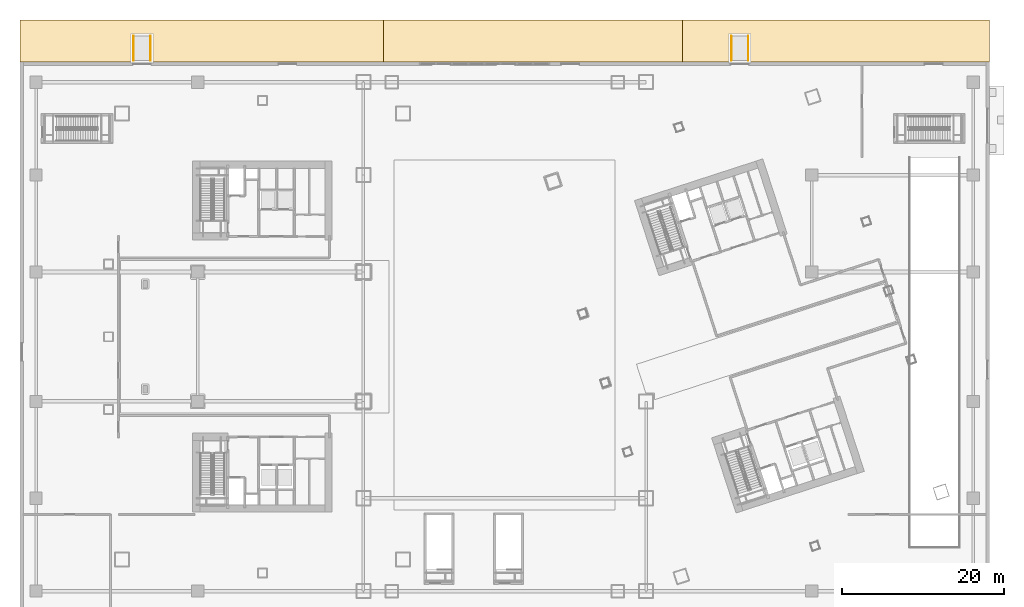
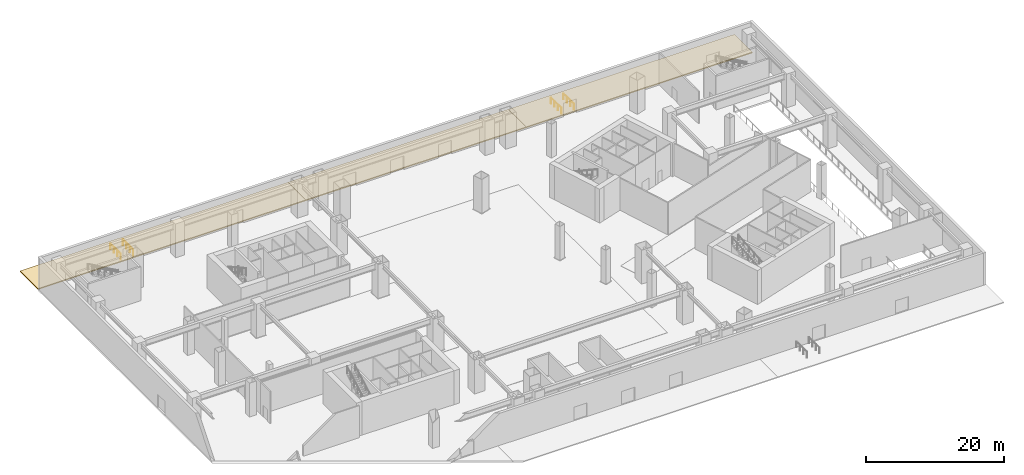
# One storey, part 30 of 31: 4 railings, 3 coverings.
"""IFC4 building model written with IfcOpenShell, lengths in metres."""

from ifc_helpers import new_model, si_unit, direction, frame, origin, origin_2d, place, context, subcontext, project, spatial, polyline, circle, outline, extrude, material, layer, layer_set, type_object, element, save


model = new_model("IFC4")

# Units and contexts
model_context = context("Model", 3, precision=1e-05, world=origin(), true_north=direction((0.0, 1.0)))
body_context = subcontext(model_context, "Body", "Model", "MODEL_VIEW")
ifc_project = project(units=[si_unit("LENGTHUNIT", "METRE"), si_unit("AREAUNIT", "SQUARE_METRE"), si_unit("VOLUMEUNIT", "CUBIC_METRE"), si_unit("PLANEANGLEUNIT", "RADIAN"), si_unit("MASSUNIT", "GRAM", prefix="KILO")], contexts=[model_context])

# Site, building, storey
site_placement = place(None, origin())
site = spatial("IfcSite", under=ifc_project, at=site_placement, CompositionType="ELEMENT")
building_placement = place(site_placement, origin())
building = spatial("IfcBuilding", under=site, at=building_placement, Name="Qiaolan Cultural Towers", CompositionType="ELEMENT")
storey_placement = place(building_placement, origin())
storey = spatial("IfcBuildingStorey", under=building, at=storey_placement, Name="L00", CompositionType="ELEMENT", Elevation=0.0)

# Coverings
ifc_material_1 = material(Name="Precast Concrete C40 Granite Forecourt Paving", Category="masonry")
ifc_layer = layer(ifc_material_1, 0.179931640625)
ifc_layer_set = layer_set([ifc_layer], Name="Precast Concrete C40 Granite Forecourt Paving")
covering_type = type_object("IfcCoveringType", Name="COV-PLAZA-PAVING", PredefinedType="USERDEFINED", material=ifc_layer_set)
covering_1_placement = place(storey_placement, frame((0.0, 0.0, -0.179931640625)))
element("IfcCovering", 1, at=covering_1_placement, inside=storey, type_object=covering_type, Name="Station Forecourt Granite Paving PLZ-N1", ObjectType="PAVING", PredefinedType="USERDEFINED", context=body_context, shape_type="SweptSolid", body=[
    extrude(outline(polyline([(0.0, 68.0), (45.0, 68.0), (45.0, 73.199951171875), (0.0, 73.199951171875), (0.0, 68.0)])), origin(), (0.0, 0.0, 1.0), 0.179931640625),
])
covering_2_placement = place(storey_placement, frame((0.0, 0.0, -0.179931640625)))
element("IfcCovering", 2, at=covering_2_placement, inside=storey, type_object=covering_type, Name="Station Forecourt Granite Paving PLZ-N2", ObjectType="PAVING", PredefinedType="USERDEFINED", context=body_context, shape_type="SweptSolid", body=[
    extrude(outline(polyline([(45.0, 68.0), (82.0, 68.0), (82.0, 73.199951171875), (45.0, 73.199951171875), (45.0, 68.0)])), origin(), (0.0, 0.0, 1.0), 0.179931640625),
])
covering_3_placement = place(storey_placement, frame((0.0, 0.0, -0.179931640625)))
element("IfcCovering", 3, at=covering_3_placement, inside=storey, type_object=covering_type, Name="Station Forecourt Granite Paving PLZ-N3", ObjectType="PAVING", PredefinedType="USERDEFINED", context=body_context, shape_type="SweptSolid", body=[
    extrude(outline(polyline([(82.0, 68.0), (120.0, 68.0), (120.0, 73.199951171875), (82.0, 73.199951171875), (82.0, 68.0)])), origin(), (0.0, 0.0, 1.0), 0.179931640625),
])

# Railings
ifc_material_2 = material(Name="Laminated SentryGlas & Stainless Steel S31608 Balustrade", Category="steel")
railing_type = type_object("IfcRailingType", Name="GRD-TERR-1200", PredefinedType="BALUSTRADE", material=ifc_material_2)
for number, where, name in (
    (4, (14.050048828125, 68.199951171875, 0.0), "North West Accessible Entrance Ramp West Balustrade"),
    (5, (16.14990234375, 68.199951171875, 0.0), "North West Accessible Entrance Ramp East Balustrade"),
    (6, (88.050048828125, 68.199951171875, 0.0), "North East Accessible Entrance Ramp West Balustrade"),
    (7, (90.14990234375, 68.199951171875, 0.0), "North East Accessible Entrance Ramp East Balustrade"),
):
    element("IfcRailing", number, at=place(storey_placement, frame(where)), inside=storey, type_object=railing_type, Name=name, PredefinedType="BALUSTRADE", context=body_context, shape_type="SweptSolid", body=[
        extrude(circle(Radius=0.02392578125, at=origin_2d()), frame((0.0, 0.0, 1.1259765625), z_axis=(0.0, 1.0, 0.0), x_axis=(-1.0, 0.0, 0.0)), (0.0, 0.0, 1.0), 3.0),
        extrude(circle(Radius=0.02099609375, at=origin_2d()), origin(), (0.0, 0.0, 1.0), 1.101806640625),
        extrude(circle(Radius=0.02099609375, at=origin_2d()), frame((0.0, 1.0, 0.0)), (0.0, 0.0, 1.0), 1.101806640625),
        extrude(circle(Radius=0.02099609375, at=origin_2d()), frame((0.0, 2.0, 0.0)), (0.0, 0.0, 1.0), 1.101806640625),
        extrude(circle(Radius=0.02099609375, at=origin_2d()), frame((0.0, 3.0, 0.0)), (0.0, 0.0, 1.0), 1.101806640625),
    ])

save(model, "model.ifc")
